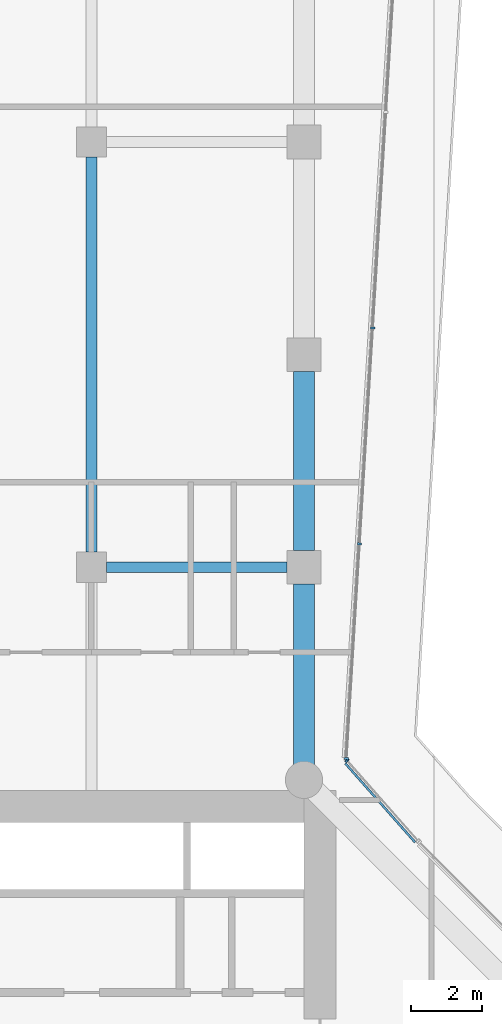
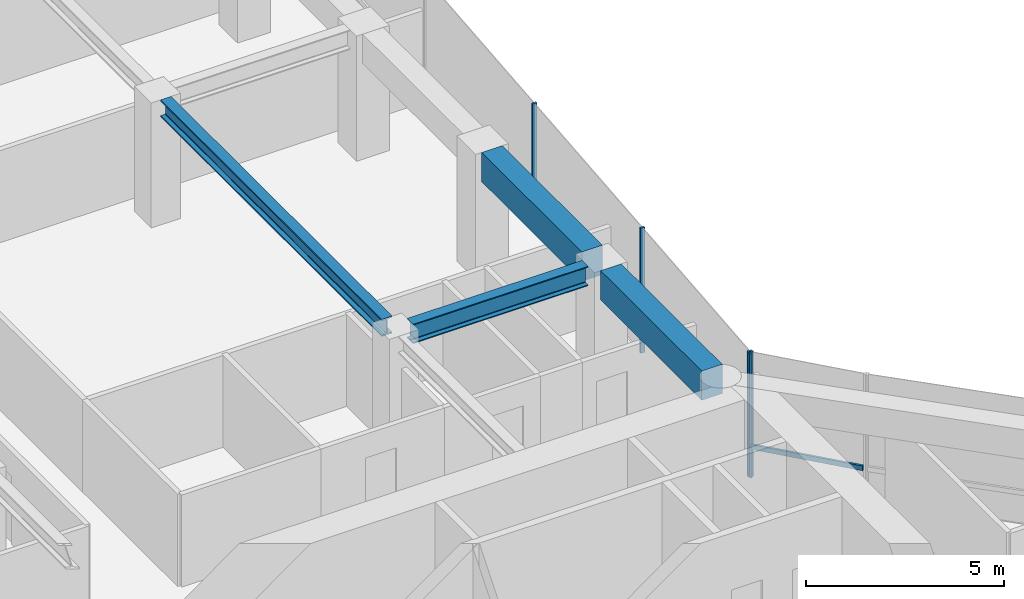
# One storey, part 13 of 27: 5 members, 4 beams, 2 elements without a shape of their own.
"""IFC4 building model written with IfcOpenShell, lengths in metres."""

from ifc_helpers import new_model, si_unit, direction, frame, origin, origin_2d, place, context, subcontext, project, spatial, rectangle, i_section, extrude, material, layer, layer_set, material_profile, profile_set, type_object, element, aggregate, save


model = new_model("IFC4")

# Units and contexts
model_context = context("Model", 3, precision=1e-05, world=origin(), true_north=direction((0.0, 1.0)))
body_context = subcontext(model_context, "Body", "Model", "MODEL_VIEW")
ifc_project = project(units=[si_unit("LENGTHUNIT", "METRE"), si_unit("AREAUNIT", "SQUARE_METRE"), si_unit("VOLUMEUNIT", "CUBIC_METRE"), si_unit("PLANEANGLEUNIT", "RADIAN"), si_unit("MASSUNIT", "GRAM", prefix="KILO")], contexts=[model_context])

# Site, building, storey
site_placement = place(None, origin())
site = spatial("IfcSite", under=ifc_project, at=site_placement, CompositionType="ELEMENT")
building_placement = place(site_placement, origin())
building = spatial("IfcBuilding", under=site, at=building_placement, Name="Welwitschia Terrace Campus", CompositionType="ELEMENT")
storey_placement = place(building_placement, frame((0.0, 0.0, 37.39990234375)))
storey = spatial("IfcBuildingStorey", under=building, at=storey_placement, Name="L08", CompositionType="ELEMENT", Elevation=37.39990234375)

# Beam
ifc_material_1 = material(Name="Steel S355", Category="steel")
ifc_material_profile_1 = material_profile(ifc_material_1, i_section(OverallWidth=0.305908203125, OverallDepth=0.52392578125, WebThickness=0.02099609375, FlangeThickness=0.0400390625, FilletRadius=0.027099609375, at=origin_2d()))
ifc_profile_set_1 = profile_set([ifc_material_profile_1], Name="Steel S355")
beam_type_1 = type_object("IfcBeamType", Name="Interior girder HE 500 M", PredefinedType="BEAM", material=ifc_profile_set_1)
beam_1_placement = place(storey_placement, frame((18.0, 32.425537109375, 3.588134765625), z_axis=(0.0, 1.0, 0.0), x_axis=(-1.0, 0.0, 0.0)))
element("IfcBeam", 1, at=beam_1_placement, inside=storey, type_object=beam_type_1, Name="Girder GB2", PredefinedType="BEAM", context=body_context, shape_type="SweptSolid", body=[
    extrude(i_section(OverallWidth=0.305908203125, OverallDepth=0.52392578125, WebThickness=0.02099609375, FlangeThickness=0.0400390625, FilletRadius=0.027099609375, at=origin_2d()), origin(), (0.0, 0.0, 1.0), 11.14892578125),
])

# Curtain wall, member
ifc_material_2 = material(Name="Bronze anodised aluminium", Category="aluminium")
ifc_layer = layer(ifc_material_2, 0.1201171875)
ifc_layer_set = layer_set([ifc_layer], Name="Bronze anodised aluminium")
curtain_wall_type = type_object("IfcCurtainWallType", Name="Curtain wall CW2 tower 6000", PredefinedType="NOTDEFINED", material=ifc_layer_set)
curtain_wall_1_placement = place(storey_placement, origin())
curtain_wall_1 = element("IfcCurtainWall", 2, at=curtain_wall_1_placement, inside=storey, type_object=curtain_wall_type, Name="CW L08.10.0", PredefinedType="NOTDEFINED")
ifc_material_3 = material(Name="Bronze anodised aluminium", Category="aluminium")
ifc_material_profile_2 = material_profile(ifc_material_3, rectangle(XDim=0.1201171875, YDim=0.06005859375, at=origin_2d()))
ifc_profile_set_2 = profile_set([ifc_material_profile_2], Name="Bronze anodised aluminium")
member_type_1 = type_object("IfcMemberType", Name="Mullion 60x120", PredefinedType="MULLION", material=ifc_profile_set_2)
member_1_placement = place(storey_placement, frame((25.21337890625, 26.546630859375, 0.0), z_axis=(0.0, 0.0, 1.0), x_axis=(-0.748955720789, -0.662620048216, 0.0)))
member_1 = element("IfcMember", 3, at=member_1_placement, type_object=member_type_1, Name="Mullion L08.10.0.1", PredefinedType="MULLION", context=body_context, shape_type="SweptSolid", body=[
    extrude(rectangle(XDim=0.1201171875, YDim=0.06005859375, at=origin_2d()), origin(), (0.0, 0.0, 1.0), 3.85009765625),
])

# Curtain wall, members
curtain_wall_2_placement = place(storey_placement, origin())
curtain_wall_2 = element("IfcCurtainWall", 4, at=curtain_wall_2_placement, inside=storey, type_object=curtain_wall_type, Name="CW L08.11.0", PredefinedType="NOTDEFINED")
member_2_placement = place(storey_placement, frame((25.1953125, 26.59912109375, 0.0), z_axis=(0.0, 0.0, 1.0), x_axis=(-0.998134798422, 0.061048539535, 0.0)))
member_2 = element("IfcMember", 5, at=member_2_placement, type_object=member_type_1, Name="Mullion L08.11.0.0", PredefinedType="MULLION", context=body_context, shape_type="SweptSolid", body=[
    extrude(rectangle(XDim=0.1201171875, YDim=0.06005859375, at=origin_2d()), origin(), (0.0, 0.0, 1.0), 3.85009765625),
])
member_3_placement = place(storey_placement, frame((25.566162109375, 32.6611328125, 0.0), z_axis=(0.0, 0.0, 1.0), x_axis=(-0.998134798422, 0.061048539535, 0.0)))
member_3 = element("IfcMember", 6, at=member_3_placement, type_object=member_type_1, Name="Mullion L08.11.0.1", PredefinedType="MULLION", context=body_context, shape_type="SweptSolid", body=[
    extrude(rectangle(XDim=0.1201171875, YDim=0.06005859375, at=origin_2d()), origin(), (0.0, 0.0, 1.0), 3.85009765625),
])
member_4_placement = place(storey_placement, frame((25.938720703125, 38.7529296875, 0.0), z_axis=(0.0, 0.0, 1.0), x_axis=(-0.998134798422, 0.061048539535, 0.0)))
member_4 = element("IfcMember", 7, at=member_4_placement, type_object=member_type_1, Name="Mullion L08.11.0.2", PredefinedType="MULLION", context=body_context, shape_type="SweptSolid", body=[
    extrude(rectangle(XDim=0.1201171875, YDim=0.06005859375, at=origin_2d()), origin(), (0.0, 0.0, 1.0), 3.85009765625),
])
aggregate(curtain_wall_2, [member_2, member_3, member_4])

# Beams
ifc_material_4 = material(Name="Steel S355", Category="steel")
ifc_material_profile_3 = material_profile(ifc_material_4, i_section(OverallWidth=0.300048828125, OverallDepth=0.60009765625, WebThickness=0.015380859375, FlangeThickness=0.030029296875, FilletRadius=0.027099609375, at=origin_2d()))
ifc_profile_set_3 = profile_set([ifc_material_profile_3], Name="Steel S355")
beam_type_2 = type_object("IfcBeamType", Name="Primary beam HE 600 B", PredefinedType="BEAM", material=ifc_profile_set_3)
beam_2_placement = place(storey_placement, frame((23.5244140625, 32.0, 3.550048828125), z_axis=(-1.0, 0.0, 0.0), x_axis=(0.0, -1.0, 0.0)))
element("IfcBeam", 8, at=beam_2_placement, inside=storey, type_object=beam_type_2, Name="Primary beam PB2", PredefinedType="BEAM", context=body_context, shape_type="SweptSolid", body=[
    extrude(i_section(OverallWidth=0.300048828125, OverallDepth=0.60009765625, WebThickness=0.015380859375, FlangeThickness=0.030029296875, FilletRadius=0.027099609375, at=origin_2d()), origin(), (0.0, 0.0, 1.0), 5.098876953125),
])
ifc_material_5 = material(Name="Concrete C60/75", Category="concrete")
ifc_material_profile_4 = material_profile(ifc_material_5, rectangle(XDim=0.60009765625, YDim=0.89990234375, at=origin_2d()))
ifc_profile_set_4 = profile_set([ifc_material_profile_4], Name="Concrete C60/75")
beam_type_3 = type_object("IfcBeamType", Name="Ring spandrel 600x900", PredefinedType="SPANDREL", material=ifc_profile_set_4)
beam_3_placement = place(storey_placement, frame((24.0, 26.431396484375, 3.400146484375), z_axis=(0.0, 1.0, 0.0), x_axis=(-1.0, 0.0, 0.0)))
element("IfcBeam", 9, at=beam_3_placement, inside=storey, type_object=beam_type_3, Name="Spandrel SP2", PredefinedType="SPANDREL", context=body_context, shape_type="SweptSolid", body=[
    extrude(rectangle(XDim=0.60009765625, YDim=0.89990234375, at=origin_2d()), origin(), (0.0, 0.0, 1.0), 5.093017578125),
])
beam_4_placement = place(storey_placement, frame((24.0, 32.4755859375, 3.400146484375), z_axis=(0.0, 1.0, 0.0), x_axis=(-1.0, 0.0, 0.0)))
element("IfcBeam", 10, at=beam_4_placement, inside=storey, type_object=beam_type_3, Name="Spandrel SP2", PredefinedType="SPANDREL", context=body_context, shape_type="SweptSolid", body=[
    extrude(rectangle(XDim=0.60009765625, YDim=0.89990234375, at=origin_2d()), origin(), (0.0, 0.0, 1.0), 5.048828125),
])

# Member
ifc_material_6 = material(Name="Bronze anodised aluminium", Category="aluminium")
ifc_material_profile_5 = material_profile(ifc_material_6, rectangle(XDim=0.06005859375, YDim=0.14990234375, at=origin_2d()))
ifc_profile_set_5 = profile_set([ifc_material_profile_5], Name="Bronze anodised aluminium")
member_type_2 = type_object("IfcMemberType", Name="Transom 60x150", PredefinedType="USERDEFINED", material=ifc_profile_set_5)
member_5_placement = place(storey_placement, frame((27.1318359375, 24.24267578125, 1.0), z_axis=(-0.662625373685, 0.748951009178, 0.0), x_axis=(-0.748951009178, -0.662625373685, 0.0)))
member_5 = element("IfcMember", 11, at=member_5_placement, type_object=member_type_2, Name="Transom L08.10.0", ObjectType="TRANSOM", PredefinedType="USERDEFINED", context=body_context, shape_type="SweptSolid", body=[
    extrude(rectangle(XDim=0.06005859375, YDim=0.14990234375, at=origin_2d()), origin(), (0.0, 0.0, 1.0), 2.966796875),
])

aggregate(curtain_wall_1, [member_1, member_5])

save(model, "model.ifc")
